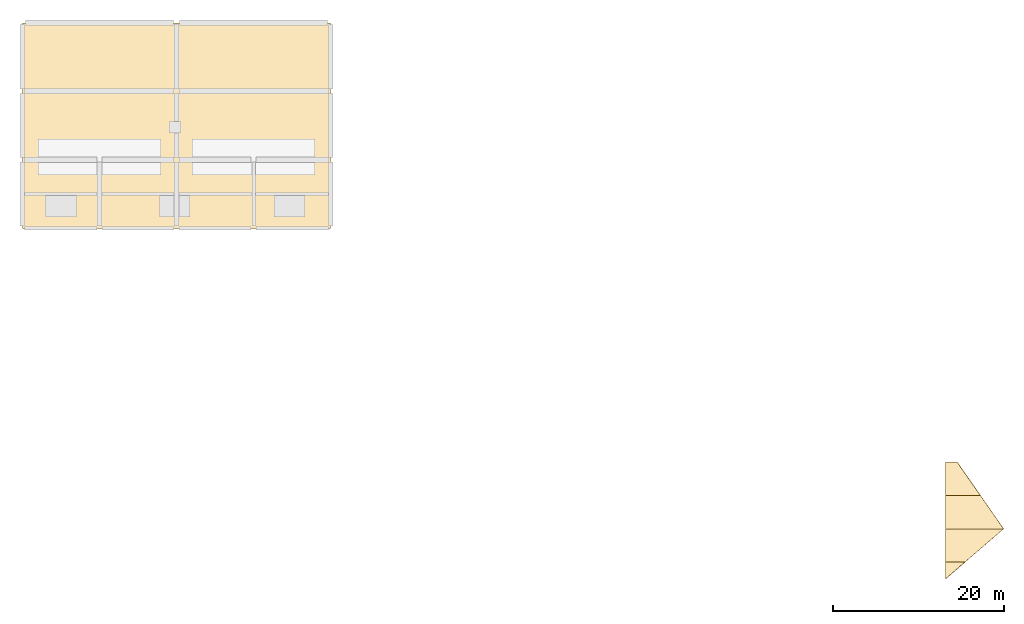
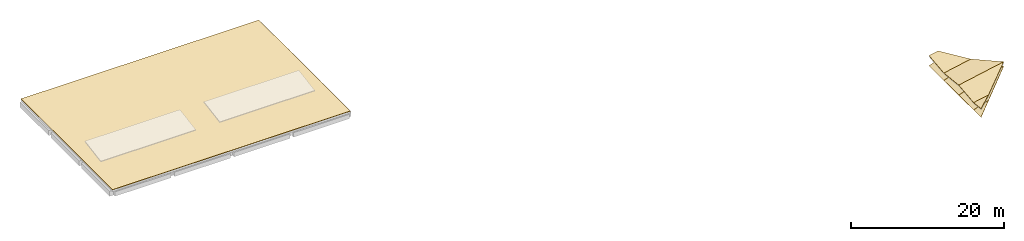
# One storey, part 2 of 2: 9 coverings.
"""IFC4 building model written with IfcOpenShell, lengths in metres."""

from ifc_helpers import new_model, si_unit, direction, frame, origin, place, context, subcontext, project, spatial, polyline, outline, extrude, material, layer, layer_set, type_object, element, save


model = new_model("IFC4")

# Units and contexts
model_context = context("Model", 3, precision=1e-05, world=origin(), true_north=direction((0.0, 1.0)))
body_context = subcontext(model_context, "Body", "Model", "MODEL_VIEW")
ifc_project = project(units=[si_unit("LENGTHUNIT", "METRE"), si_unit("AREAUNIT", "SQUARE_METRE"), si_unit("VOLUMEUNIT", "CUBIC_METRE"), si_unit("PLANEANGLEUNIT", "RADIAN"), si_unit("MASSUNIT", "GRAM", prefix="KILO")], contexts=[model_context])

# Site, building, storey
site_placement = place(None, origin())
site = spatial("IfcSite", under=ifc_project, at=site_placement, CompositionType="ELEMENT")
building_placement = place(site_placement, origin())
building = spatial("IfcBuilding", under=site, at=building_placement, Name="Vervanel Yard Central Library", CompositionType="ELEMENT")
storey_placement = place(building_placement, frame((0.0, 0.0, 23.89990234375)))
storey = spatial("IfcBuildingStorey", under=building, at=storey_placement, Name="RF", CompositionType="ELEMENT", Elevation=23.89990234375)

# Coverings
ifc_material_1 = material(Name="Standing-seam dark zinc-coated metal roofing", Category="metal")
ifc_layer_1 = layer(ifc_material_1, 0.06494140625, Category="metal")
ifc_layer_set_1 = layer_set([ifc_layer_1], Name="Standing-seam dark zinc-coated metal roofing")
covering_type_1 = type_object("IfcCoveringType", Name="Standing-Seam Dark Zinc Roof Assembly", PredefinedType="ROOFING", material=ifc_layer_set_1)
covering_1_placement = place(storey_placement, origin())
element("IfcCovering", 1, at=covering_1_placement, inside=storey, type_object=covering_type_1, Name="RF Roof Covering ROOF-RF-V1TOP", PredefinedType="ROOFING", context=body_context, shape_type="SweptSolid", body=[
    extrude(outline(polyline([(45.0, 90.0), (81.0, 90.0), (81.0, 114.0), (45.0, 114.0), (45.0, 90.0)])), origin(), (0.0, 0.0, 1.0), 0.065185546875),
])
covering_2_placement = place(storey_placement, frame((152.800048828125, 51.0, -0.08935546875), z_axis=(-0.194657394963, 0.109350465024, 0.97475687963), x_axis=(0.980637510325, 0.0, 0.195831747538)))
element("IfcCovering", 2, at=covering_2_placement, inside=storey, type_object=covering_type_1, Name="Standing-Seam Zinc Roofing V3-FS-B7-S02", PredefinedType="ROOFING", context=body_context, shape_type="SweptSolid", body=[
    extrude(outline(polyline([(0.04283819477392771, -1.9617150721410073), (2.311355152781201, 6.938893903907228e-18), (0.0, 0.0), (0.04283819477392771, -1.9617150721410073)])), origin(), (0.0, 0.0, -1.0), 0.06494140625),
])
covering_3_placement = place(storey_placement, frame((152.800048828125, 51.0, -0.08935546875), z_axis=(-0.194602558952, -0.109318538244, 0.974771409739), x_axis=(6.489532e-06, 0.99376998827, 0.111450483942)))
element("IfcCovering", 3, at=covering_3_placement, inside=storey, type_object=covering_type_1, Name="Standing-Seam Zinc Roofing V3-FS-B7-S03", PredefinedType="ROOFING", context=body_context, shape_type="SweptSolid", body=[
    extrude(outline(polyline([(0.0504612905381405, -2.310804250324751), (4.075694947145992, -6.932557795708094), (3.9243654931288248, 1.3877787807814457e-17), (0.0, 0.0), (0.0504612905381405, -2.310804250324751)])), origin(), (0.0, 0.0, -1.0), 0.06494140625),
])
covering_4_placement = place(storey_placement, frame((152.800048828125, 54.89990234375, 0.34814453125), z_axis=(-0.194586964629, 0.109339248139, 0.974772200061), x_axis=(-1.177718e-06, 0.993767777109, -0.111470198613)))
element("IfcCovering", 4, at=covering_4_placement, inside=storey, type_object=covering_type_1, Name="Standing-Seam Zinc Roofing V3-FS-B7-S04", PredefinedType="ROOFING", context=body_context, shape_type="SweptSolid", body=[
    extrude(outline(polyline([(-0.1513200945459379, -6.932558001202377), (3.8338160575717435, -4.1593432215671), (3.9246081140692834, 0.0), (0.0, 0.0), (-0.1513200945459379, -6.932558001202377)])), origin(), (0.0, 0.0, -1.0), 0.06494140625),
])
covering_5_placement = place(storey_placement, frame((152.800048828125, 58.800048828125, -0.08935546875), z_axis=(-0.194595027192, -0.109354852276, 0.974768840124), x_axis=(-5.88944e-07, 0.993766011246, 0.111485940336)))
element("IfcCovering", 5, at=covering_5_placement, inside=storey, type_object=covering_type_1, Name="Standing-Seam Zinc Roofing V3-FS-B7-S05", PredefinedType="ROOFING", context=body_context, shape_type="SweptSolid", body=[
    extrude(outline(polyline([(0.09079766970579707, -4.159343099086488), (3.9546313852427852, -1.3863678751780262), (3.9243654952929243, 0.0), (0.0, 0.0), (0.09079766970579707, -4.159343099086488)])), origin(), (0.0, 0.0, -1.0), 0.06494140625),
])
ifc_material_2 = material(Name="Warm patinated copper perforated acoustic soffit", Category="metal")
ifc_layer_2 = layer(ifc_material_2, 0.044921875, Category="metal")
ifc_layer_set_2 = layer_set([ifc_layer_2], Name="Warm patinated copper perforated acoustic soffit")
covering_type_2 = type_object("IfcCoveringType", Name="Warm Copper Perforated Prow Soffit Panel", PredefinedType="CEILING", material=ifc_layer_set_2)
covering_6_placement = place(storey_placement, frame((152.800048828125, 51.0, -1.25732421875), z_axis=(-0.312572771367, 0.0, 0.949893816487), x_axis=(0.949893816487, 0.0, 0.312572771367)))
element("IfcCovering", 6, at=covering_6_placement, inside=storey, type_object=covering_type_2, Name="Prow Cantilever Warm Copper Acoustic Soffit V3-FS-B7-S02", PredefinedType="CEILING", context=body_context, shape_type="SweptSolid", body=[
    extrude(outline(polyline([(0.0, -1.949951171875), (2.3861630880835207, 0.0), (0.0, 0.0), (0.0, -1.949951171875)])), origin(), (0.0, 0.0, -1.0), 0.044921875),
])
covering_7_placement = place(storey_placement, frame((152.800048828125, 51.0, -1.25732421875), z_axis=(-0.312542097326, 1.9757825e-05, 0.949903909355), x_axis=(6.175152e-06, 0.999999999805, -1.8768036e-05)))
element("IfcCovering", 7, at=covering_7_placement, inside=storey, type_object=covering_type_2, Name="Prow Cantilever Warm Copper Acoustic Soffit V3-FS-B7-S03", PredefinedType="CEILING", context=body_context, shape_type="SweptSolid", body=[
    extrude(outline(polyline([(-1.5224113575139597e-09, -2.386163086839419), (3.8999023445112058, -7.158644866429428), (3.8999023429887947, 3.303345776230516e-21), (0.0, 0.0), (-1.5224113575139597e-09, -2.386163086839419)])), origin(), (0.0, 0.0, -1.0), 0.044921875),
])
covering_8_placement = place(storey_placement, frame((152.800048828125, 54.89990234375, -1.25732421875), z_axis=(-0.312548475175, -3.2080589e-05, 0.949901810524), x_axis=(-1.0026739e-05, 0.999999999485, 3.047341e-05)))
element("IfcCovering", 8, at=covering_8_placement, inside=storey, type_object=covering_type_2, Name="Prow Cantilever Warm Copper Acoustic Soffit V3-FS-B7-S04", PredefinedType="CEILING", context=body_context, shape_type="SweptSolid", body=[
    extrude(outline(polyline([(-4.013891215538519e-09, -7.158644865750703), (3.9001464863819457, -4.2950471752210255), (3.9001464823680547, 0.0), (0.0, 0.0), (-4.013891215538519e-09, -7.158644865750703)])), origin(), (0.0, 0.0, -1.0), 0.044921875),
])
covering_9_placement = place(storey_placement, frame((152.800048828125, 58.800048828125, -1.25732421875), z_axis=(-0.312580366159, -4.892018e-06, 0.949891317293), x_axis=(-1.529149e-06, 0.999999999988, 4.646885e-06)))
element("IfcCovering", 9, at=covering_9_placement, inside=storey, type_object=covering_type_2, Name="Prow Cantilever Warm Copper Acoustic Soffit V3-FS-B7-S05", PredefinedType="CEILING", context=body_context, shape_type="SweptSolid", body=[
    extrude(outline(polyline([(-9.333182980922962e-11, -4.295047177001073), (3.899902343796666, -1.4316050899803947), (3.899902343703334, 0.0), (0.0, 0.0), (-9.333182980922962e-11, -4.295047177001073)])), origin(), (0.0, 0.0, -1.0), 0.044921875),
])

save(model, "model.ifc")
